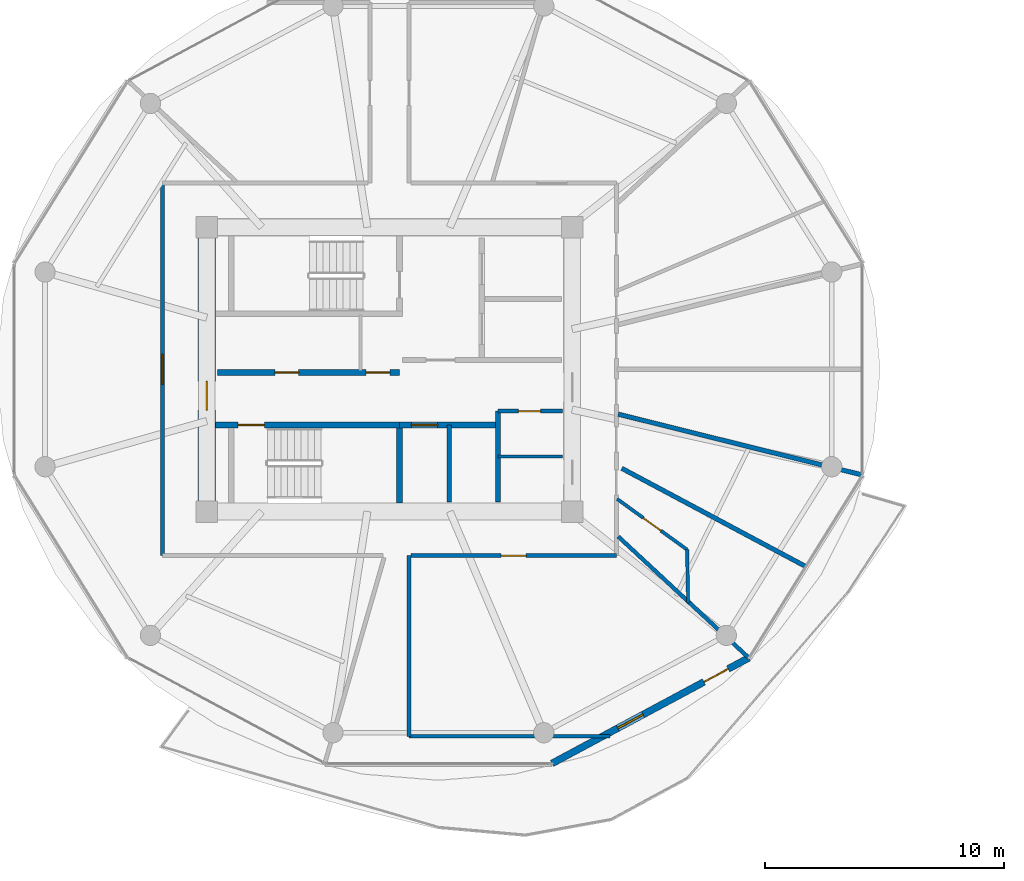
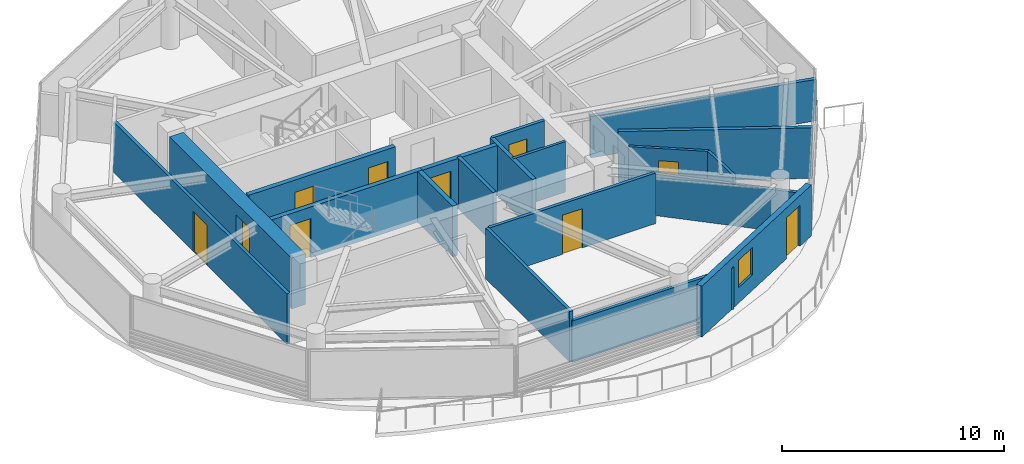
# One storey, part 13 of 24: 19 walls, 10 doors, 1 window, 11 openings.
"""IFC4 building model written with IfcOpenShell, lengths in metres."""

from ifc_helpers import new_model, si_unit, direction, frame, frame_2d, origin, place, context, subcontext, project, spatial, rectangle, extrude, source, transform, mapped, material, layer, layer_set, type_object, type_shapes, element, fill, save


model = new_model("IFC4")

# Units and contexts
model_context = context("Model", 3, precision=1e-05, world=origin(), true_north=direction((0.0, 1.0)))
body_context = subcontext(model_context, "Body", "Model", "MODEL_VIEW")
ifc_project = project(units=[si_unit("LENGTHUNIT", "METRE"), si_unit("AREAUNIT", "SQUARE_METRE"), si_unit("VOLUMEUNIT", "CUBIC_METRE"), si_unit("PLANEANGLEUNIT", "RADIAN"), si_unit("MASSUNIT", "GRAM", prefix="KILO")], contexts=[model_context])

# Site, building, storey
site_placement = place(None, origin())
site = spatial("IfcSite", under=ifc_project, at=site_placement, CompositionType="ELEMENT")
building_placement = place(site_placement, origin())
building = spatial("IfcBuilding", under=site, at=building_placement, Name="Norrkilde Senior Care Towers", CompositionType="ELEMENT")
storey_placement = place(building_placement, frame((0.0, 0.0, 111.5)))
storey = spatial("IfcBuildingStorey", under=building, at=storey_placement, Name="L34", CompositionType="ELEMENT", Elevation=111.5)

# Wall, opening, door
ifc_material_1 = material(Name="Concrete C60/75", Category="concrete")
ifc_layer_1 = layer(ifc_material_1, 0.719970703125)
ifc_layer_set_1 = layer_set([ifc_layer_1], Name="Concrete C60/75")
wall_type_1 = type_object("IfcWallType", Name="Core Shear Wall Z2 720", PredefinedType="SHEAR", material=ifc_layer_set_1)
shared_shape_1 = source(origin(), body_context, "Body", "SweptSolid", [
    extrude(rectangle(XDim=11.0, YDim=0.719970703125, at=frame_2d((5.5, 0.0))), origin(), (0.0, 0.0, 1.0), 2.7900390625),
])
type_shapes(wall_type_1, [shared_shape_1])
wall_1_placement = place(storey_placement, frame((-35.64990234375, -5.5, 0.0), z_axis=(0.0, 0.0, 1.0), x_axis=(0.0, 1.0, 0.0)))
wall_1 = element("IfcWall", 1, at=wall_1_placement, inside=storey, type_object=wall_type_1, Name="L34 Core W West Shear Wall", PredefinedType="SHEAR", context=body_context, shape_type="MappedRepresentation", body=[
    mapped(shared_shape_1, transform((0.0, 0.0, 0.0), x_axis=(1.0, 0.0, 0.0), y_axis=(0.0, 1.0, 0.0), z_axis=(0.0, 0.0, 1.0), scale=1.0)),
])
opening_1_placement = place(wall_1_placement, frame((3.800048828125, 0.0, 0.0)))
opening_1 = element("IfcOpeningElement", 2, at=opening_1_placement, cuts=wall_1, Name="Opening D-04", PredefinedType="OPENING", context=body_context, shape_type="SweptSolid", body=[
    extrude(rectangle(XDim=1.199951171875, YDim=2.14990234375, at=frame_2d((0.60009765625, 1.074951171875))), frame((0.0, 0.369873046875, 0.0), z_axis=(0.0, -1.0, 0.0), x_axis=(1.0, 0.0, 0.0)), (0.0, 0.0, 1.0), 0.739990234375),
])
ifc_material_2 = material(Name="Galvanised Painted Steel", Category="steel")
door_type_1 = type_object("IfcDoorType", Name="Firefighting Lobby Fire Door 1200x2150", OperationType="NOTDEFINED", PredefinedType="DOOR", material=ifc_material_2)
shared_shape_2 = source(origin(), body_context, "Body", "SweptSolid", [
    extrude(rectangle(XDim=1.199951171875, YDim=2.14990234375, at=frame_2d((0.60009765625, 1.074951171875))), frame((0.0, 0.02490234375, 0.0), z_axis=(0.0, -1.0, 0.0), x_axis=(1.0, 0.0, 0.0)), (0.0, 0.0, 1.0), 0.050048828125),
])
type_shapes(door_type_1, [shared_shape_2])
door_1_placement = place(opening_1_placement, frame((1.199951171875, 0.0, 0.0), z_axis=(0.0, 0.0, 1.0), x_axis=(-1.0, 0.0, 0.0)))
door_1 = element("IfcDoor", 3, at=door_1_placement, inside=storey, type_object=door_type_1, Name="L34 Core W West Portal Door", OperationType="SINGLE_SWING_LEFT", OverallHeight=2.14990234375, OverallWidth=1.199951171875, PredefinedType="DOOR", context=body_context, shape_type="MappedRepresentation", body=[
    mapped(shared_shape_2, transform((0.0, 0.0, 0.0), x_axis=(1.0, 0.0, 0.0), y_axis=(0.0, 1.0, 0.0), z_axis=(0.0, 0.0, 1.0), scale=1.0)),
])
fill(opening_1, door_1)

# Wall, openings, door, window
ifc_material_3 = material(Name="Precast concrete C45/55", Category="concrete")
ifc_layer_2 = layer(ifc_material_3, 0.2900390625)
ifc_layer_set_2 = layer_set([ifc_layer_2], Name="Precast concrete C45/55")
wall_type_2 = type_object("IfcWallType", Name="Winter Garden Facade Wall 290", PredefinedType="SOLIDWALL", material=ifc_layer_set_2)
shared_shape_3 = source(origin(), body_context, "Body", "SweptSolid", [
    extrude(rectangle(XDim=9.3505859375, YDim=0.2900390625, at=frame_2d((4.67529296875, 0.0))), origin(), (0.0, 0.0, 1.0), 2.7900390625),
])
type_shapes(wall_type_2, [shared_shape_3])
wall_2_placement = place(storey_placement, frame((-12.953369140625, -12.077392578125, 0.0), z_axis=(0.0, 0.0, 1.0), x_axis=(-0.881184411073, -0.472772708267, 0.0)))
wall_2 = element("IfcWall", 4, at=wall_2_placement, inside=storey, type_object=wall_type_2, Name="L34 Drum W Balcony Access Wall 09", PredefinedType="SOLIDWALL", context=body_context, shape_type="MappedRepresentation", body=[
    mapped(shared_shape_3, transform((0.0, 0.0, 0.0), x_axis=(1.0, 0.0, 0.0), y_axis=(0.0, 1.0, 0.0), z_axis=(0.0, 0.0, 1.0), scale=1.0)),
])
opening_2_placement = place(wall_2_placement, frame((0.97998046875, 0.0, 0.0)))
opening_2 = element("IfcOpeningElement", 5, at=opening_2_placement, cuts=wall_2, Name="Opening D-09", PredefinedType="OPENING", context=body_context, shape_type="SweptSolid", body=[
    extrude(rectangle(XDim=1.14990234375, YDim=2.25, at=frame_2d((0.574951171875, 1.125))), frame((0.0, 0.155029296875, 0.0), z_axis=(0.0, -1.0, 0.0), x_axis=(1.0, 0.0, 0.0)), (0.0, 0.0, 1.0), 0.31005859375),
])
opening_3_placement = place(wall_2_placement, frame((5.025146484375, 0.0, 0.85009765625)))
opening_3 = element("IfcOpeningElement", 6, at=opening_3_placement, cuts=wall_2, Name="Opening WN-07", PredefinedType="OPENING", context=body_context, shape_type="SweptSolid", body=[
    extrude(rectangle(XDim=1.199951171875, YDim=1.5, at=frame_2d((0.60009765625, 0.75))), frame((0.0, 0.155029296875, 0.0), z_axis=(0.0, -1.0, 0.0), x_axis=(1.0, 0.0, 0.0)), (0.0, 0.0, 1.0), 0.31005859375),
])
ifc_material_4 = material(Name="Anodised Aluminium", Category="aluminium")
door_type_2 = type_object("IfcDoorType", Name="Terrace and Balcony Glazed Door 1150x2250", OperationType="NOTDEFINED", PredefinedType="DOOR", material=ifc_material_4)
shared_shape_4 = source(origin(), body_context, "Body", "SweptSolid", [
    extrude(rectangle(XDim=1.14990234375, YDim=2.25, at=frame_2d((0.574951171875, 1.125))), frame((0.0, 0.02490234375, 0.0), z_axis=(0.0, -1.0, 0.0), x_axis=(1.0, 0.0, 0.0)), (0.0, 0.0, 1.0), 0.050048828125),
])
type_shapes(door_type_2, [shared_shape_4])
door_2_placement = place(opening_2_placement, origin())
door_2 = element("IfcDoor", 7, at=door_2_placement, inside=storey, type_object=door_type_2, Name="L34 Drum W Outdoor Terrace Door 09", OperationType="SINGLE_SWING_RIGHT", OverallHeight=2.25, OverallWidth=1.14990234375, PredefinedType="DOOR", context=body_context, shape_type="MappedRepresentation", body=[
    mapped(shared_shape_4, transform((0.0, 0.0, 0.0), x_axis=(1.0, 0.0, 0.0), y_axis=(0.0, 1.0, 0.0), z_axis=(0.0, 0.0, 1.0), scale=1.0)),
])
fill(opening_2, door_2)
ifc_material_5 = material(Name="Triple Low-E Insulated Glazing", Category="glass")
window_type = type_object("IfcWindowType", Name="Stairwell Smoke Vent Window 1200x1500", PartitioningType="SINGLE_PANEL", PredefinedType="WINDOW", material=ifc_material_5)
shared_shape_5 = source(origin(), body_context, "Body", "SweptSolid", [
    extrude(rectangle(XDim=1.199951171875, YDim=1.5, at=frame_2d((0.60009765625, 0.75))), frame((0.0, 0.030029296875, 0.0), z_axis=(0.0, -1.0, 0.0), x_axis=(1.0, 0.0, 0.0)), (0.0, 0.0, 1.0), 0.06005859375),
])
type_shapes(window_type, [shared_shape_5])
window_placement = place(opening_3_placement, origin())
window = element("IfcWindow", 8, at=window_placement, inside=storey, type_object=window_type, Name="L34 Drum W Winter Garden Window 09", OverallHeight=1.5, OverallWidth=1.199951171875, PartitioningType="SINGLE_PANEL", PredefinedType="WINDOW", context=body_context, shape_type="MappedRepresentation", body=[
    mapped(shared_shape_5, transform((0.0, 0.0, 0.0), x_axis=(1.0, 0.0, 0.0), y_axis=(0.0, 1.0, 0.0), z_axis=(0.0, 0.0, 1.0), scale=1.0)),
])
fill(opening_3, window)

# Wall, openings, doors
ifc_material_6 = material(Name="Concrete C45/55", Category="concrete")
ifc_layer_3 = layer(ifc_material_6, 0.239990234375)
ifc_layer_set_3 = layer_set([ifc_layer_3], Name="Concrete C45/55")
wall_type_3 = type_object("IfcWallType", Name="Lift and Plant Rated Enclosure Partition 240", PredefinedType="PARTITIONING", material=ifc_layer_set_3)
shared_shape_6 = source(origin(), body_context, "Body", "SweptSolid", [
    extrude(rectangle(XDim=7.619873046875, YDim=0.239990234375, at=frame_2d((3.81005859375, 0.0))), origin(), (0.0, 0.0, 1.0), 2.77490234375),
])
wall_3_placement = place(storey_placement, frame((-35.199951171875, -0.1298828125, 0.0), z_axis=(0.0, 0.0, 1.0), x_axis=(1.0, 0.0, 0.0)))
wall_3 = element("IfcWall", 9, at=wall_3_placement, inside=storey, type_object=wall_type_3, Name="WL-INT-L34-W-PKAS", PredefinedType="PARTITIONING", context=body_context, shape_type="MappedRepresentation", body=[
    mapped(shared_shape_6, transform((0.0, 0.0, 0.0), x_axis=(1.0, 0.0, 0.0), y_axis=(0.0, 1.0, 0.0), z_axis=(0.0, 0.0, 1.0), scale=1.0)),
])
opening_4_placement = place(wall_3_placement, frame((6.219970703125, 0.0, 0.0)))
opening_4 = element("IfcOpeningElement", 10, at=opening_4_placement, cuts=wall_3, Name="Opening D-10", PredefinedType="OPENING", context=body_context, shape_type="SweptSolid", body=[
    extrude(rectangle(XDim=1.0, YDim=2.10009765625, at=frame_2d((0.5, 1.050048828125))), frame((0.0, 0.1298828125, 0.0), z_axis=(0.0, -1.0, 0.0), x_axis=(1.0, 0.0, 0.0)), (0.0, 0.0, 1.0), 0.260009765625),
])
opening_5_placement = place(wall_3_placement, frame((2.39990234375, 0.0, 0.0)))
opening_5 = element("IfcOpeningElement", 11, at=opening_5_placement, cuts=wall_3, Name="Opening D-10", PredefinedType="OPENING", context=body_context, shape_type="SweptSolid", body=[
    extrude(rectangle(XDim=1.0, YDim=2.10009765625, at=frame_2d((0.5, 1.050048828125))), frame((0.0, 0.1298828125, 0.0), z_axis=(0.0, -1.0, 0.0), x_axis=(1.0, 0.0, 0.0)), (0.0, 0.0, 1.0), 0.260009765625),
])
door_type_3 = type_object("IfcDoorType", Name="Plant and Riser Rated Door 1000x2100", OperationType="NOTDEFINED", PredefinedType="DOOR", material=ifc_material_2)
shared_shape_7 = source(origin(), body_context, "Body", "SweptSolid", [
    extrude(rectangle(XDim=1.0, YDim=2.10009765625, at=frame_2d((0.5, 1.050048828125))), frame((0.0, 0.02490234375, 0.0), z_axis=(0.0, -1.0, 0.0), x_axis=(1.0, 0.0, 0.0)), (0.0, 0.0, 1.0), 0.050048828125),
])
type_shapes(door_type_3, [shared_shape_7])
door_3_placement = place(opening_4_placement, frame((1.0, 0.0, 0.0), z_axis=(0.0, 0.0, 1.0), x_axis=(-1.0, 0.0, 0.0)))
door_3 = element("IfcDoor", 12, at=door_3_placement, inside=storey, type_object=door_type_3, Name="L34 Electrical Riser W Door", OperationType="SINGLE_SWING_LEFT", OverallHeight=2.10009765625, OverallWidth=1.0, PredefinedType="DOOR", context=body_context, shape_type="MappedRepresentation", body=[
    mapped(shared_shape_7, transform((0.0, 0.0, 0.0), x_axis=(1.0, 0.0, 0.0), y_axis=(0.0, 1.0, 0.0), z_axis=(0.0, 0.0, 1.0), scale=1.0)),
])
fill(opening_4, door_3)
door_4_placement = place(opening_5_placement, frame((1.0, 0.0, 0.0), z_axis=(0.0, 0.0, 1.0), x_axis=(-1.0, 0.0, 0.0)))
door_4 = element("IfcDoor", 13, at=door_4_placement, inside=storey, type_object=door_type_3, Name="L34 Clean Supply Store W Door", OperationType="SINGLE_SWING_LEFT", OverallHeight=2.10009765625, OverallWidth=1.0, PredefinedType="DOOR", context=body_context, shape_type="MappedRepresentation", body=[
    mapped(shared_shape_7, transform((0.0, 0.0, 0.0), x_axis=(1.0, 0.0, 0.0), y_axis=(0.0, 1.0, 0.0), z_axis=(0.0, 0.0, 1.0), scale=1.0)),
])
fill(opening_5, door_4)

# Wall
ifc_layer_4 = layer(ifc_material_6, 0.199951171875)
ifc_layer_set_4 = layer_set([ifc_layer_4], Name="Concrete C45/55")
wall_type_4 = type_object("IfcWallType", Name="Shaft Division and Plant Partition 200", PredefinedType="PARTITIONING", material=ifc_layer_set_4)
shared_shape_8 = source(origin(), body_context, "Body", "SweptSolid", [
    extrude(rectangle(XDim=3.800048828125, YDim=0.199951171875, at=frame_2d((1.89990234375, 0.0))), origin(), (0.0, 0.0, 1.0), 2.77490234375),
])
type_shapes(wall_type_4, [shared_shape_8])
wall_4_placement = place(storey_placement, frame((-23.449951171875, -5.550048828125, 0.0), z_axis=(0.0, 0.0, 1.0), x_axis=(0.0, 1.0, 0.0)))
element("IfcWall", 14, at=wall_4_placement, inside=storey, type_object=wall_type_4, Name="WL-INT-L34-W-PKBE", PredefinedType="PARTITIONING", context=body_context, shape_type="MappedRepresentation", body=[
    mapped(shared_shape_8, transform((0.0, 0.0, 0.0), x_axis=(1.0, 0.0, 0.0), y_axis=(0.0, 1.0, 0.0), z_axis=(0.0, 0.0, 1.0), scale=1.0)),
])

# Wall, opening, door
shared_shape_9 = source(origin(), body_context, "Body", "SweptSolid", [
    extrude(rectangle(XDim=4.130126953125, YDim=0.239990234375, at=frame_2d((2.06494140625, 0.0))), origin(), (0.0, 0.0, 1.0), 2.77490234375),
])
type_shapes(wall_type_3, [shared_shape_6, shared_shape_9])
wall_5_placement = place(storey_placement, frame((-27.580078125, -2.330078125, 0.0), z_axis=(0.0, 0.0, 1.0), x_axis=(1.0, 0.0, 0.0)))
wall_5 = element("IfcWall", 15, at=wall_5_placement, inside=storey, type_object=wall_type_3, Name="WL-INT-L34-W-PKBN", PredefinedType="PARTITIONING", context=body_context, shape_type="MappedRepresentation", body=[
    mapped(shared_shape_9, transform((0.0, 0.0, 0.0), x_axis=(1.0, 0.0, 0.0), y_axis=(0.0, 1.0, 0.0), z_axis=(0.0, 0.0, 1.0), scale=1.0)),
])
opening_6_placement = place(wall_5_placement, frame((0.5, 0.0, 0.0)))
opening_6 = element("IfcOpeningElement", 16, at=opening_6_placement, cuts=wall_5, Name="Opening LD-01", PredefinedType="OPENING", context=body_context, shape_type="SweptSolid", body=[
    extrude(rectangle(XDim=1.10009765625, YDim=2.199951171875, at=frame_2d((0.550048828125, 1.10009765625))), frame((0.0, 0.1298828125, 0.0), z_axis=(0.0, -1.0, 0.0), x_axis=(1.0, 0.0, 0.0)), (0.0, 0.0, 1.0), 0.260009765625),
])
ifc_material_7 = material(Name="Stainless Steel", Category="steel")
door_type_4 = type_object("IfcDoorType", Name="Lift Landing Sliding Door 1100x2200", OperationType="NOTDEFINED", PredefinedType="DOOR", material=ifc_material_7)
shared_shape_10 = source(origin(), body_context, "Body", "SweptSolid", [
    extrude(rectangle(XDim=1.10009765625, YDim=2.199951171875, at=frame_2d((0.550048828125, 1.10009765625))), frame((0.0, 0.02490234375, 0.0), z_axis=(0.0, -1.0, 0.0), x_axis=(1.0, 0.0, 0.0)), (0.0, 0.0, 1.0), 0.050048828125),
])
type_shapes(door_type_4, [shared_shape_10])
door_5_placement = place(opening_6_placement, frame((1.10009765625, 0.0, 0.0), z_axis=(0.0, 0.0, 1.0), x_axis=(-1.0, 0.0, 0.0)))
door_5 = element("IfcDoor", 17, at=door_5_placement, inside=storey, type_object=door_type_4, Name="L34 Passenger Lift W3 Landing Door", OperationType="SLIDING_TO_LEFT", OverallHeight=2.199951171875, OverallWidth=1.10009765625, PredefinedType="DOOR", context=body_context, shape_type="MappedRepresentation", body=[
    mapped(shared_shape_10, transform((0.0, 0.0, 0.0), x_axis=(1.0, 0.0, 0.0), y_axis=(0.0, 1.0, 0.0), z_axis=(0.0, 0.0, 1.0), scale=1.0)),
])
fill(opening_6, door_5)

# Wall
ifc_layer_5 = layer(ifc_material_6, 0.179931640625)
ifc_layer_set_5 = layer_set([ifc_layer_5], Name="Concrete C45/55")
wall_type_5 = type_object("IfcWallType", Name="Hoistway Division Rated Partition 180", PredefinedType="PARTITIONING", material=ifc_layer_set_5)
shared_shape_11 = source(origin(), body_context, "Body", "SweptSolid", [
    extrude(rectangle(XDim=3.219970703125, YDim=0.179931640625, at=frame_2d((1.60986328125, 0.0))), origin(), (0.0, 0.0, 1.0), 2.77490234375),
])
type_shapes(wall_type_5, [shared_shape_11])
wall_6_placement = place(storey_placement, frame((-25.5, -5.550048828125, 0.0), z_axis=(0.0, 0.0, 1.0), x_axis=(0.0, 1.0, 0.0)))
element("IfcWall", 18, at=wall_6_placement, inside=storey, type_object=wall_type_5, Name="WL-INT-L34-W-PL34", PredefinedType="PARTITIONING", context=body_context, shape_type="MappedRepresentation", body=[
    mapped(shared_shape_11, transform((0.0, 0.0, 0.0), x_axis=(1.0, 0.0, 0.0), y_axis=(0.0, 1.0, 0.0), z_axis=(0.0, 0.0, 1.0), scale=1.0)),
])

# Wall, opening, door
ifc_material_8 = material(Name="Gypsum Acoustic Board")
ifc_layer_6 = layer(ifc_material_8, 0.1650390625)
ifc_layer_set_6 = layer_set([ifc_layer_6], Name="Gypsum Acoustic Board")
wall_type_6 = type_object("IfcWallType", Name="Corridor Rated Partition 165", PredefinedType="PARTITIONING", material=ifc_layer_set_6)
shared_shape_12 = source(origin(), body_context, "Body", "SweptSolid", [
    extrude(rectangle(XDim=2.699951171875, YDim=0.1650390625, at=frame_2d((1.35009765625, 0.0))), origin(), (0.0, 0.0, 1.0), 2.77490234375),
])
wall_7_placement = place(storey_placement, frame((-23.449951171875, -1.75, 0.0), z_axis=(0.0, 0.0, 1.0), x_axis=(1.0, 0.0, 0.0)))
wall_7 = element("IfcWall", 19, at=wall_7_placement, inside=storey, type_object=wall_type_6, Name="WL-INT-L34-W-CSN", PredefinedType="PARTITIONING", context=body_context, shape_type="MappedRepresentation", body=[
    mapped(shared_shape_12, transform((0.0, 0.0, 0.0), x_axis=(1.0, 0.0, 0.0), y_axis=(0.0, 1.0, 0.0), z_axis=(0.0, 0.0, 1.0), scale=1.0)),
])
opening_7_placement = place(wall_7_placement, frame((0.85009765625, 0.0, 0.0)))
opening_7 = element("IfcOpeningElement", 20, at=opening_7_placement, cuts=wall_7, Name="Opening D-12", PredefinedType="OPENING", context=body_context, shape_type="SweptSolid", body=[
    extrude(rectangle(XDim=0.925048828125, YDim=2.10009765625, at=frame_2d((0.46240234375, 1.050048828125))), frame((0.0, 0.092529296875, 0.0), z_axis=(0.0, -1.0, 0.0), x_axis=(1.0, 0.0, 0.0)), (0.0, 0.0, 1.0), 0.18505859375),
])
door_type_5 = type_object("IfcDoorType", Name="Core Wet Room Rated Door 925x2100", OperationType="NOTDEFINED", PredefinedType="DOOR", material=ifc_material_2)
shared_shape_13 = source(origin(), body_context, "Body", "SweptSolid", [
    extrude(rectangle(XDim=0.925048828125, YDim=2.10009765625, at=frame_2d((0.46240234375, 1.050048828125))), frame((0.0, 0.02490234375, 0.0), z_axis=(0.0, -1.0, 0.0), x_axis=(1.0, 0.0, 0.0)), (0.0, 0.0, 1.0), 0.050048828125),
])
type_shapes(door_type_5, [shared_shape_13])
door_6_placement = place(opening_7_placement, origin())
door_6 = element("IfcDoor", 21, at=door_6_placement, inside=storey, type_object=door_type_5, Name="L34 Staff WC W Door", OperationType="SINGLE_SWING_LEFT", OverallHeight=2.10009765625, OverallWidth=0.925048828125, PredefinedType="DOOR", context=body_context, shape_type="MappedRepresentation", body=[
    mapped(shared_shape_13, transform((0.0, 0.0, 0.0), x_axis=(1.0, 0.0, 0.0), y_axis=(0.0, 1.0, 0.0), z_axis=(0.0, 0.0, 1.0), scale=1.0)),
])
fill(opening_7, door_6)

# Wall
ifc_layer_7 = layer(ifc_material_8, 0.139892578125)
ifc_layer_set_7 = layer_set([ifc_layer_7], Name="Gypsum Acoustic Board")
wall_type_7 = type_object("IfcWallType", Name="En-suite Wet Room Wall 140", PredefinedType="PARTITIONING", material=ifc_layer_set_7)
shared_shape_14 = source(origin(), body_context, "Body", "SweptSolid", [
    extrude(rectangle(XDim=2.699951171875, YDim=0.139892578125, at=frame_2d((1.35009765625, 0.0))), origin(), (0.0, 0.0, 1.0), 2.77490234375),
])
wall_8_placement = place(storey_placement, frame((-23.449951171875, -3.64990234375, 0.0), z_axis=(0.0, 0.0, 1.0), x_axis=(1.0, 0.0, 0.0)))
element("IfcWall", 22, at=wall_8_placement, inside=storey, type_object=wall_type_7, Name="WL-INT-L34-W-CS2H", PredefinedType="PARTITIONING", context=body_context, shape_type="MappedRepresentation", body=[
    mapped(shared_shape_14, transform((0.0, 0.0, 0.0), x_axis=(1.0, 0.0, 0.0), y_axis=(0.0, 1.0, 0.0), z_axis=(0.0, 0.0, 1.0), scale=1.0)),
])

# Wall, opening, door
shared_shape_15 = source(origin(), body_context, "Body", "SweptSolid", [
    extrude(rectangle(XDim=15.60009765625, YDim=0.1650390625, at=frame_2d((7.800048828125, 0.0))), origin(), (0.0, 0.0, 1.0), 2.77490234375),
])
wall_9_placement = place(storey_placement, frame((-37.5, -7.800048828125, 0.0), z_axis=(0.0, 0.0, 1.0), x_axis=(0.0, 1.0, 0.0)))
wall_9 = element("IfcWall", 23, at=wall_9_placement, inside=storey, type_object=wall_type_6, Name="WL-INT-L34-W-CRW-W-0", PredefinedType="PARTITIONING", context=body_context, shape_type="MappedRepresentation", body=[
    mapped(shared_shape_15, transform((0.0, 0.0, 0.0), x_axis=(1.0, 0.0, 0.0), y_axis=(0.0, 1.0, 0.0), z_axis=(0.0, 0.0, 1.0), scale=1.0)),
])
opening_8_placement = place(wall_9_placement, frame((7.175048828125, 0.0, 0.0)))
opening_8 = element("IfcOpeningElement", 24, at=opening_8_placement, cuts=wall_9, Name="Opening D-05", PredefinedType="OPENING", context=body_context, shape_type="SweptSolid", body=[
    extrude(rectangle(XDim=1.25, YDim=2.199951171875, at=frame_2d((0.625, 1.10009765625))), frame((0.0, 0.092529296875, 0.0), z_axis=(0.0, -1.0, 0.0), x_axis=(1.0, 0.0, 0.0)), (0.0, 0.0, 1.0), 0.18505859375),
])
ifc_material_9 = material(Name="Nordic Ash Timber", Category="wood")
door_type_6 = type_object("IfcDoorType", Name="Care Bedroom Bariatric Door 1250x2200", OperationType="NOTDEFINED", PredefinedType="DOOR", material=ifc_material_9)
shared_shape_16 = source(origin(), body_context, "Body", "SweptSolid", [
    extrude(rectangle(XDim=1.25, YDim=2.199951171875, at=frame_2d((0.625, 1.10009765625))), frame((0.0, 0.02490234375, 0.0), z_axis=(0.0, -1.0, 0.0), x_axis=(1.0, 0.0, 0.0)), (0.0, 0.0, 1.0), 0.050048828125),
])
type_shapes(door_type_6, [shared_shape_16])
door_7_placement = place(opening_8_placement, frame((1.25, 0.0, 0.0), z_axis=(0.0, 0.0, 1.0), x_axis=(-1.0, 0.0, 0.0)))
door_7 = element("IfcDoor", 25, at=door_7_placement, inside=storey, type_object=door_type_6, Name="L34 Geriatric Rehabilitation Clinic Door", OperationType="SINGLE_SWING_LEFT", OverallHeight=2.199951171875, OverallWidth=1.25, PredefinedType="DOOR", context=body_context, shape_type="MappedRepresentation", body=[
    mapped(shared_shape_16, transform((0.0, 0.0, 0.0), x_axis=(1.0, 0.0, 0.0), y_axis=(0.0, 1.0, 0.0), z_axis=(0.0, 0.0, 1.0), scale=1.0)),
])
fill(opening_8, door_7)

ifc_layer_8 = layer(ifc_material_6, 0.239990234375)
ifc_layer_set_8 = layer_set([ifc_layer_8], Name="Concrete C45/55")
wall_type_8 = type_object("IfcWallType", Name="Shaft and Stair Enclosure Wall 240", PredefinedType="PARTITIONING", material=ifc_layer_set_8)
shared_shape_17 = source(origin(), body_context, "Body", "SweptSolid", [
    extrude(rectangle(XDim=7.830078125, YDim=0.239990234375, at=frame_2d((3.9150390625, 0.0))), origin(), (0.0, 0.0, 1.0), 2.7900390625),
])
wall_10_placement = place(storey_placement, frame((-35.2900390625, -2.330078125, 0.0), z_axis=(0.0, 0.0, 1.0), x_axis=(1.0, 0.0, 0.0)))
wall_10 = element("IfcWall", 26, at=wall_10_placement, inside=storey, type_object=wall_type_8, Name="WL-INT-L34-W-ST2N", PredefinedType="PARTITIONING", context=body_context, shape_type="MappedRepresentation", body=[
    mapped(shared_shape_17, transform((0.0, 0.0, 0.0), x_axis=(1.0, 0.0, 0.0), y_axis=(0.0, 1.0, 0.0), z_axis=(0.0, 0.0, 1.0), scale=1.0)),
])
opening_9_placement = place(wall_10_placement, frame((0.949951171875, 0.0, 0.0)))
opening_9 = element("IfcOpeningElement", 27, at=opening_9_placement, cuts=wall_10, Name="Opening D-03", PredefinedType="OPENING", context=body_context, shape_type="SweptSolid", body=[
    extrude(rectangle(XDim=1.10009765625, YDim=2.14990234375, at=frame_2d((0.550048828125, 1.074951171875))), frame((0.0, 0.1298828125, 0.0), z_axis=(0.0, -1.0, 0.0), x_axis=(1.0, 0.0, 0.0)), (0.0, 0.0, 1.0), 0.260009765625),
])
door_type_7 = type_object("IfcDoorType", Name="Stairwell Protected Fire Door 1100x2150", OperationType="NOTDEFINED", PredefinedType="DOOR", material=ifc_material_2)
shared_shape_18 = source(origin(), body_context, "Body", "SweptSolid", [
    extrude(rectangle(XDim=1.10009765625, YDim=2.14990234375, at=frame_2d((0.550048828125, 1.074951171875))), frame((0.0, 0.02490234375, 0.0), z_axis=(0.0, -1.0, 0.0), x_axis=(1.0, 0.0, 0.0)), (0.0, 0.0, 1.0), 0.050048828125),
])
type_shapes(door_type_7, [shared_shape_18])
door_8_placement = place(opening_9_placement, frame((1.10009765625, 0.0, 0.0), z_axis=(0.0, 0.0, 1.0), x_axis=(-1.0, 0.0, 0.0)))
door_8 = element("IfcDoor", 28, at=door_8_placement, inside=storey, type_object=door_type_7, Name="L34 Stair W2 Fire Door", OperationType="SINGLE_SWING_RIGHT", OverallHeight=2.14990234375, OverallWidth=1.10009765625, PredefinedType="DOOR", context=body_context, shape_type="MappedRepresentation", body=[
    mapped(shared_shape_18, transform((0.0, 0.0, 0.0), x_axis=(1.0, 0.0, 0.0), y_axis=(0.0, 1.0, 0.0), z_axis=(0.0, 0.0, 1.0), scale=1.0)),
])
fill(opening_9, door_8)

# Wall
shared_shape_19 = source(origin(), body_context, "Body", "SweptSolid", [
    extrude(rectangle(XDim=3.14013671875, YDim=0.239990234375, at=frame_2d((1.570068359375, 0.0))), origin(), (0.0, 0.0, 1.0), 2.7900390625),
])
type_shapes(wall_type_8, [shared_shape_17, shared_shape_19])
wall_11_placement = place(storey_placement, frame((-27.580078125, -5.590087890625, 0.0), z_axis=(0.0, 0.0, 1.0), x_axis=(0.0, 1.0, 0.0)))
element("IfcWall", 29, at=wall_11_placement, inside=storey, type_object=wall_type_8, Name="WL-INT-L34-W-ST2E", PredefinedType="PARTITIONING", context=body_context, shape_type="MappedRepresentation", body=[
    mapped(shared_shape_19, transform((0.0, 0.0, 0.0), x_axis=(1.0, 0.0, 0.0), y_axis=(0.0, 1.0, 0.0), z_axis=(0.0, 0.0, 1.0), scale=1.0)),
])

# Wall, opening, door
shared_shape_20 = source(origin(), body_context, "Body", "SweptSolid", [
    extrude(rectangle(XDim=8.60009765625, YDim=0.1650390625, at=frame_2d((4.300048828125, 0.0))), origin(), (0.0, 0.0, 1.0), 2.77490234375),
])
wall_12_placement = place(storey_placement, frame((-18.5, -7.800048828125, 0.0), z_axis=(0.0, 0.0, 1.0), x_axis=(-1.0, 0.0, 0.0)))
wall_12 = element("IfcWall", 30, at=wall_12_placement, inside=storey, type_object=wall_type_6, Name="WL-INT-L34-W-CRW-S-0", PredefinedType="PARTITIONING", context=body_context, shape_type="MappedRepresentation", body=[
    mapped(shared_shape_20, transform((0.0, 0.0, 0.0), x_axis=(1.0, 0.0, 0.0), y_axis=(0.0, 1.0, 0.0), z_axis=(0.0, 0.0, 1.0), scale=1.0)),
])
opening_10_placement = place(wall_12_placement, frame((3.77490234375, 0.0, 0.0)))
opening_10 = element("IfcOpeningElement", 31, at=opening_10_placement, cuts=wall_12, Name="Opening D-06", PredefinedType="OPENING", context=body_context, shape_type="SweptSolid", body=[
    extrude(rectangle(XDim=1.050048828125, YDim=2.14990234375, at=frame_2d((0.52490234375, 1.074951171875))), frame((0.0, 0.092529296875, 0.0), z_axis=(0.0, -1.0, 0.0), x_axis=(1.0, 0.0, 0.0)), (0.0, 0.0, 1.0), 0.18505859375),
])
door_type_8 = type_object("IfcDoorType", Name="Apartment Entrance Fire Door 1050x2150", OperationType="NOTDEFINED", PredefinedType="DOOR", material=ifc_material_9)
shared_shape_21 = source(origin(), body_context, "Body", "SweptSolid", [
    extrude(rectangle(XDim=1.050048828125, YDim=2.14990234375, at=frame_2d((0.52490234375, 1.074951171875))), frame((0.0, 0.02490234375, 0.0), z_axis=(0.0, -1.0, 0.0), x_axis=(1.0, 0.0, 0.0)), (0.0, 0.0, 1.0), 0.050048828125),
])
type_shapes(door_type_8, [shared_shape_21])
door_9_placement = place(opening_10_placement, frame((1.050048828125, 0.0, 0.0), z_axis=(0.0, 0.0, 1.0), x_axis=(-1.0, 0.0, 0.0)))
door_9 = element("IfcDoor", 32, at=door_9_placement, inside=storey, type_object=door_type_8, Name="L34 Reading Lounge SEL Door", OperationType="SINGLE_SWING_RIGHT", OverallHeight=2.14990234375, OverallWidth=1.050048828125, PredefinedType="DOOR", context=body_context, shape_type="MappedRepresentation", body=[
    mapped(shared_shape_21, transform((0.0, 0.0, 0.0), x_axis=(1.0, 0.0, 0.0), y_axis=(0.0, 1.0, 0.0), z_axis=(0.0, 0.0, 1.0), scale=1.0)),
])
fill(opening_10, door_9)

# Walls
shared_shape_22 = source(origin(), body_context, "Body", "SweptSolid", [
    extrude(rectangle(XDim=7.482177734375, YDim=0.1650390625, at=frame_2d((3.7412109375, 0.0))), origin(), (0.0, 0.0, 1.0), 2.27490234375),
])
wall_13_placement = place(storey_placement, frame((-18.419921875, -6.998046875, 0.0), z_axis=(0.0, 0.0, 1.0), x_axis=(0.732508698043, -0.680757671489, 0.0)))
element("IfcWall", 33, at=wall_13_placement, inside=storey, type_object=wall_type_6, Name="WL-INT-L34-W-DEM-10-0", PredefinedType="PARTITIONING", context=body_context, shape_type="MappedRepresentation", body=[
    mapped(shared_shape_22, transform((0.0, 0.0, 0.0), x_axis=(1.0, 0.0, 0.0), y_axis=(0.0, 1.0, 0.0), z_axis=(0.0, 0.0, 1.0), scale=1.0)),
])
shared_shape_23 = source(origin(), body_context, "Body", "SweptSolid", [
    extrude(rectangle(XDim=7.56005859375, YDim=0.1650390625, at=frame_2d((3.780029296875, 0.0))), origin(), (0.0, 0.0, 1.0), 2.77490234375),
])
wall_14_placement = place(storey_placement, frame((-27.179931640625, -15.360107421875, 0.0), z_axis=(0.0, 0.0, 1.0), x_axis=(0.0, 1.0, 0.0)))
element("IfcWall", 34, at=wall_14_placement, inside=storey, type_object=wall_type_6, Name="WL-INT-L34-W-PKW-SEL", PredefinedType="PARTITIONING", context=body_context, shape_type="MappedRepresentation", body=[
    mapped(shared_shape_23, transform((0.0, 0.0, 0.0), x_axis=(1.0, 0.0, 0.0), y_axis=(0.0, 1.0, 0.0), z_axis=(0.0, 0.0, 1.0), scale=1.0)),
])
shared_shape_24 = source(origin(), body_context, "Body", "SweptSolid", [
    extrude(rectangle(XDim=8.406982421875, YDim=0.1650390625, at=frame_2d((4.20361328125, 0.0))), origin(), (0.0, 0.0, 1.0), 2.27490234375),
])
type_shapes(wall_type_6, [shared_shape_12, shared_shape_15, shared_shape_20, shared_shape_22, shared_shape_23, shared_shape_24])
wall_15_placement = place(storey_placement, frame((-27.179931640625, -15.360107421875, 0.0), z_axis=(0.0, 0.0, 1.0), x_axis=(1.0, 0.0, 0.0)))
element("IfcWall", 35, at=wall_15_placement, inside=storey, type_object=wall_type_6, Name="WL-INT-L34-W-PKH-SEL-0", PredefinedType="PARTITIONING", context=body_context, shape_type="MappedRepresentation", body=[
    mapped(shared_shape_24, transform((0.0, 0.0, 0.0), x_axis=(1.0, 0.0, 0.0), y_axis=(0.0, 1.0, 0.0), z_axis=(0.0, 0.0, 1.0), scale=1.0)),
])
ifc_layer_9 = layer(ifc_material_8, 0.18994140625)
ifc_layer_set_9 = layer_set([ifc_layer_9], Name="Gypsum Acoustic Board")
wall_type_9 = type_object("IfcWallType", Name="Unit Demising Acoustic Wall 190", PredefinedType="PARTITIONING", material=ifc_layer_set_9)
shared_shape_25 = source(origin(), body_context, "Body", "SweptSolid", [
    extrude(rectangle(XDim=10.5556640625, YDim=0.18994140625, at=frame_2d((5.27783203125, 0.0))), origin(), (0.0, 0.0, 1.0), 2.27490234375),
])
wall_16_placement = place(storey_placement, frame((-18.419921875, -1.875, 0.0), z_axis=(0.0, 0.0, 1.0), x_axis=(0.970363857851, -0.241648470667, 0.0)))
element("IfcWall", 36, at=wall_16_placement, inside=storey, type_object=wall_type_9, Name="WL-INT-L34-W-DEM-11-0", PredefinedType="PARTITIONING", context=body_context, shape_type="MappedRepresentation", body=[
    mapped(shared_shape_25, transform((0.0, 0.0, 0.0), x_axis=(1.0, 0.0, 0.0), y_axis=(0.0, 1.0, 0.0), z_axis=(0.0, 0.0, 1.0), scale=1.0)),
])
shared_shape_26 = source(origin(), body_context, "Body", "SweptSolid", [
    extrude(rectangle(XDim=8.744384765625, YDim=0.18994140625, at=frame_2d((4.3720703125, 0.0))), origin(), (0.0, 0.0, 1.0), 2.77490234375),
])
type_shapes(wall_type_9, [shared_shape_25, shared_shape_26])
wall_17_placement = place(storey_placement, frame((-18.27294921875, -4.141845703125, 0.0), z_axis=(0.0, 0.0, 1.0), x_axis=(0.882252449936, -0.470776607938, 0.0)))
element("IfcWall", 37, at=wall_17_placement, inside=storey, type_object=wall_type_9, Name="WL-INT-L34-W-CMID-10", PredefinedType="PARTITIONING", context=body_context, shape_type="MappedRepresentation", body=[
    mapped(shared_shape_26, transform((0.0, 0.0, 0.0), x_axis=(1.0, 0.0, 0.0), y_axis=(0.0, 1.0, 0.0), z_axis=(0.0, 0.0, 1.0), scale=1.0)),
])

# Wall, opening, door
shared_shape_27 = source(origin(), body_context, "Body", "SweptSolid", [
    extrude(rectangle(XDim=3.621337890625, YDim=0.139892578125, at=frame_2d((1.810546875, 0.0))), origin(), (0.0, 0.0, 1.0), 2.77490234375),
])
wall_18_placement = place(storey_placement, frame((-18.469970703125, -5.421875, 0.0), z_axis=(0.0, 0.0, 1.0), x_axis=(0.80968252222, -0.586868139544, 0.0)))
wall_18 = element("IfcWall", 38, at=wall_18_placement, inside=storey, type_object=wall_type_7, Name="WL-INT-L34-W-ES-10A", PredefinedType="PARTITIONING", context=body_context, shape_type="MappedRepresentation", body=[
    mapped(shared_shape_27, transform((0.0, 0.0, 0.0), x_axis=(1.0, 0.0, 0.0), y_axis=(0.0, 1.0, 0.0), z_axis=(0.0, 0.0, 1.0), scale=1.0)),
])
opening_11_placement = place(wall_18_placement, frame((1.3505859375, 0.0, 0.0)))
opening_11 = element("IfcOpeningElement", 39, at=opening_11_placement, cuts=wall_18, Name="Opening D-08", PredefinedType="OPENING", context=body_context, shape_type="SweptSolid", body=[
    extrude(rectangle(XDim=0.919921875, YDim=2.10009765625, at=frame_2d((0.4599609375, 1.050048828125))), frame((0.0, 0.079833984375, 0.0), z_axis=(0.0, -1.0, 0.0), x_axis=(1.0, 0.0, 0.0)), (0.0, 0.0, 1.0), 0.159912109375),
])
door_type_9 = type_object("IfcDoorType", Name="Accessible Wet Room Door 920x2100", OperationType="NOTDEFINED", PredefinedType="DOOR", material=ifc_material_9)
shared_shape_28 = source(origin(), body_context, "Body", "SweptSolid", [
    extrude(rectangle(XDim=0.919921875, YDim=2.10009765625, at=frame_2d((0.4599609375, 1.050048828125))), frame((0.0, 0.02490234375, 0.0), z_axis=(0.0, -1.0, 0.0), x_axis=(1.0, 0.0, 0.0)), (0.0, 0.0, 1.0), 0.050048828125),
])
type_shapes(door_type_9, [shared_shape_28])
door_10_placement = place(opening_11_placement, origin())
door_10 = element("IfcDoor", 40, at=door_10_placement, inside=storey, type_object=door_type_9, Name="L34 Care Suite 3410A Bathroom Door", OperationType="SINGLE_SWING_LEFT", OverallHeight=2.10009765625, OverallWidth=0.919921875, PredefinedType="DOOR", context=body_context, shape_type="MappedRepresentation", body=[
    mapped(shared_shape_28, transform((0.0, 0.0, 0.0), x_axis=(1.0, 0.0, 0.0), y_axis=(0.0, 1.0, 0.0), z_axis=(0.0, 0.0, 1.0), scale=1.0)),
])
fill(opening_11, door_10)

# Wall
shared_shape_29 = source(origin(), body_context, "Body", "SweptSolid", [
    extrude(rectangle(XDim=2.224853515625, YDim=0.139892578125, at=frame_2d((1.1123046875, 0.0))), origin(), (0.0, 0.0, 1.0), 2.77490234375),
])
type_shapes(wall_type_7, [shared_shape_14, shared_shape_27, shared_shape_29])
wall_19_placement = place(storey_placement, frame((-15.537841796875, -7.547119140625, 0.0), z_axis=(0.0, 0.0, 1.0), x_axis=(0.019971869027, -0.999800542332, 0.0)))
element("IfcWall", 41, at=wall_19_placement, inside=storey, type_object=wall_type_7, Name="WL-INT-L34-W-EF-10A", PredefinedType="PARTITIONING", context=body_context, shape_type="MappedRepresentation", body=[
    mapped(shared_shape_29, transform((0.0, 0.0, 0.0), x_axis=(1.0, 0.0, 0.0), y_axis=(0.0, 1.0, 0.0), z_axis=(0.0, 0.0, 1.0), scale=1.0)),
])

save(model, "model.ifc")
